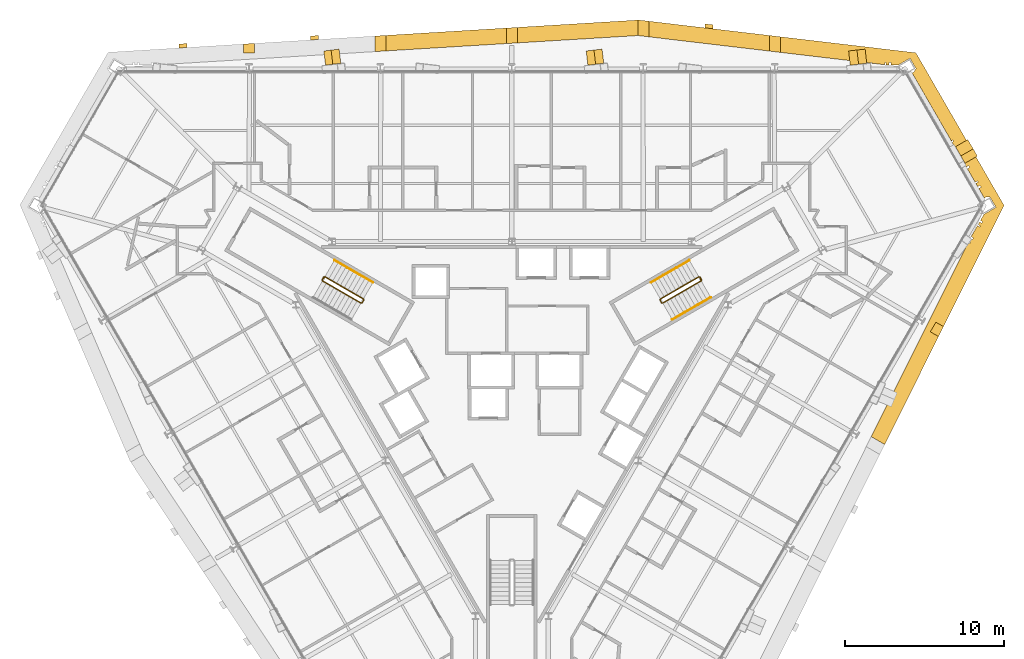
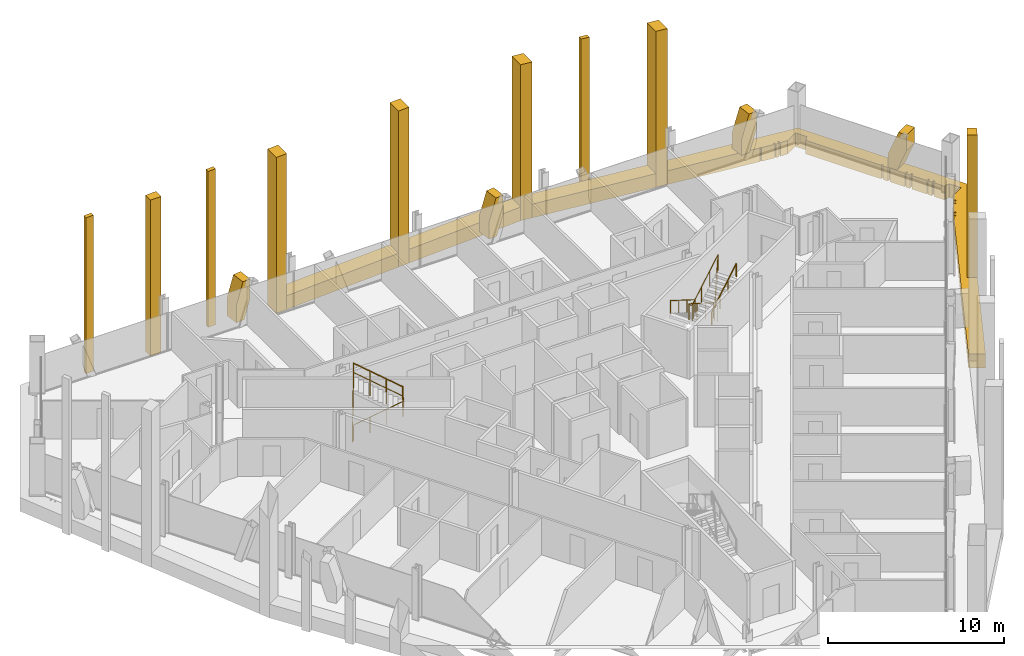
# One storey, part 17 of 17: 17 coverings, 5 railings.
"""IFC4 building model written with IfcOpenShell, lengths in metres."""

from ifc_helpers import new_model, si_unit, direction, frame, origin, origin_2d, place, context, subcontext, project, spatial, polyline, circle, outline, extrude, material, layer, layer_set, type_object, element, save


model = new_model("IFC4")

# Units and contexts
model_context = context("Model", 3, precision=1e-05, world=origin(), true_north=direction((0.0, 1.0)))
body_context = subcontext(model_context, "Body", "Model", "MODEL_VIEW")
ifc_project = project(units=[si_unit("LENGTHUNIT", "METRE"), si_unit("AREAUNIT", "SQUARE_METRE"), si_unit("VOLUMEUNIT", "CUBIC_METRE"), si_unit("PLANEANGLEUNIT", "RADIAN"), si_unit("MASSUNIT", "GRAM", prefix="KILO")], contexts=[model_context])

# Site, building, storey
site_placement = place(None, origin())
site = spatial("IfcSite", under=ifc_project, at=site_placement, CompositionType="ELEMENT")
building_placement = place(site_placement, origin())
building = spatial("IfcBuilding", under=site, at=building_placement, Name="Verrane Prism Tower", CompositionType="ELEMENT")
storey_placement = place(building_placement, frame((0.0, 0.0, 132.39990234375)))
storey = spatial("IfcBuildingStorey", under=building, at=storey_placement, Name="L32", CompositionType="ELEMENT", Elevation=132.39990234375)

# Railings
ifc_material_1 = material(Name="Steel A36 rail and posts, no infill", Category="steel")
railing_type_1 = type_object("IfcRailingType", Name="Stair guard 1100 steel rail and posts", PredefinedType="GUARDRAIL", material=ifc_material_1)
railing_1_placement = place(storey_placement, frame((11.78955078125, 6.97998046875, 0.163818359375)))
element("IfcRailing", 1, at=railing_1_placement, inside=storey, type_object=railing_type_1, Name="Stair 1 guard", PredefinedType="GUARDRAIL", context=body_context, shape_type="SweptSolid", body=[
    extrude(circle(Radius=0.02392578125, at=origin_2d()), frame((0.0, 0.0, 1.076171875), z_axis=(-0.747693913401, -0.431738279637, 0.504535300807), x_axis=(0.500049511043, -0.865996816683, 0.0)), (0.0, 0.0, 1.0), 3.2431640625),
    extrude(circle(Radius=0.02392578125, at=origin_2d()), frame((-2.4248046875, -1.400146484375, 2.71240234375), z_axis=(-0.259601060869, -0.965715946433, 0.0), x_axis=(0.965715946433, -0.259601060869, 0.0)), (0.0, 0.0, 1.0), 0.070556640625),
    extrude(circle(Radius=0.02392578125, at=origin_2d()), frame((-2.443115234375, -1.46826171875, 2.71240234375), z_axis=(0.499158860599, -0.866510491504, 0.0), x_axis=(0.866510491504, 0.499158860599, 0.0)), (0.0, 0.0, 1.0), 0.199951171875),
    extrude(circle(Radius=0.02392578125, at=origin_2d()), frame((-2.34326171875, -1.6416015625, 2.71240234375), z_axis=(0.383552647116, -0.102737316192, 0.917786691313), x_axis=(0.258736085224, 0.965948051503, 0.0)), (0.0, 0.0, 1.0), 0.17822265625),
    extrude(circle(Radius=0.02392578125, at=origin_2d()), frame((-2.27490234375, -1.659912109375, 2.8759765625), z_axis=(0.747665513933, 0.431721881032, 0.504591415616), x_axis=(-0.500049511043, 0.865996816683, 0.0)), (0.0, 0.0, 1.0), 3.2431640625),
    extrude(circle(Radius=0.02392578125, at=origin_2d()), frame((0.14990234375, -0.259765625, 4.51220703125), z_axis=(-0.022593669287, 0.066901613547, -0.997503734436), x_axis=(-0.947430582667, -0.3199613899, 0.0)), (0.0, 0.0, 1.0), 3.609130859375),
    extrude(circle(Radius=0.02392578125, at=origin_2d()), frame((0.068359375, -0.018310546875, 0.912109375), z_axis=(0.499158860599, -0.866510491504, 0.0), x_axis=(0.866510491504, 0.499158860599, 0.0)), (0.0, 0.0, 1.0), 0.199951171875),
    extrude(circle(Radius=0.02099609375, at=origin_2d()), origin(), (0.0, 0.0, 1.0), 1.052001953125),
    extrude(circle(Radius=0.02099609375, at=origin_2d()), frame((-0.808349609375, -0.466796875, 0.54541015625)), (0.0, 0.0, 1.0), 1.052001953125),
    extrude(circle(Radius=0.02099609375, at=origin_2d()), frame((-1.616455078125, -0.933349609375, 1.0908203125)), (0.0, 0.0, 1.0), 1.052001953125),
    extrude(circle(Radius=0.02099609375, at=origin_2d()), frame((-2.4248046875, -1.400146484375, 1.63623046875)), (0.0, 0.0, 1.0), 1.052001953125),
    extrude(circle(Radius=0.02099609375, at=origin_2d()), frame((-2.443115234375, -1.46826171875, 1.63623046875)), (0.0, 0.0, 1.0), 1.052001953125),
    extrude(circle(Radius=0.02099609375, at=origin_2d()), frame((-2.34326171875, -1.6416015625, 1.63623046875)), (0.0, 0.0, 1.0), 1.052001953125),
    extrude(circle(Radius=0.02099609375, at=origin_2d()), frame((-2.27490234375, -1.659912109375, 1.7998046875)), (0.0, 0.0, 1.0), 1.052001953125),
    extrude(circle(Radius=0.02099609375, at=origin_2d()), frame((-1.466552734375, -1.193115234375, 2.34521484375)), (0.0, 0.0, 1.0), 1.052001953125),
    extrude(circle(Radius=0.02099609375, at=origin_2d()), frame((-0.658447265625, -0.7265625, 2.890869140625)), (0.0, 0.0, 1.0), 1.052001953125),
    extrude(circle(Radius=0.02099609375, at=origin_2d()), frame((0.14990234375, -0.259765625, 3.436279296875)), (0.0, 0.0, 1.0), 1.052001953125),
    extrude(circle(Radius=0.02099609375, at=origin_2d()), frame((0.12939453125, -0.199462890625, 2.5361328125)), (0.0, 0.0, 1.0), 1.052001953125),
    extrude(circle(Radius=0.02099609375, at=origin_2d()), frame((0.109130859375, -0.13916015625, 1.63623046875)), (0.0, 0.0, 1.0), 1.052001953125),
    extrude(circle(Radius=0.02099609375, at=origin_2d()), frame((0.0888671875, -0.07861328125, 0.736328125)), (0.0, 0.0, 1.0), 1.052001953125),
    extrude(circle(Radius=0.02099609375, at=origin_2d()), frame((0.068359375, -0.018310546875, -0.163818359375)), (0.0, 0.0, 1.0), 1.052001953125),
    extrude(circle(Radius=0.02099609375, at=origin_2d()), frame((0.168212890625, -0.191650390625, -0.163818359375)), (0.0, 0.0, 1.0), 1.052001953125),
])
railing_2_placement = place(storey_placement, frame((-11.939453125, 6.72021484375, 0.163818359375)))
element("IfcRailing", 2, at=railing_2_placement, inside=storey, type_object=railing_type_1, Name="Stair 2 guard", PredefinedType="GUARDRAIL", context=body_context, shape_type="SweptSolid", body=[
    extrude(circle(Radius=0.02392578125, at=origin_2d()), frame((0.0, 0.0, 1.076171875), z_axis=(0.747693913401, -0.431738279637, 0.504535300807), x_axis=(0.500049511043, 0.865996816683, 0.0)), (0.0, 0.0, 1.0), 3.2431640625),
    extrude(circle(Radius=0.02392578125, at=origin_2d()), frame((2.4248046875, -1.400146484375, 2.71240234375), z_axis=(0.965948051503, 0.258736085224, 0.0), x_axis=(-0.258736085224, 0.965948051503, 0.0)), (0.0, 0.0, 1.0), 0.07080078125),
    extrude(circle(Radius=0.02392578125, at=origin_2d()), frame((2.4931640625, -1.3818359375, 2.71240234375), z_axis=(0.499158860599, 0.866510491504, 0.0), x_axis=(-0.866510491504, 0.499158860599, 0.0)), (0.0, 0.0, 1.0), 0.199951171875),
    extrude(circle(Radius=0.02392578125, at=origin_2d()), frame((2.593017578125, -1.20849609375, 2.71240234375), z_axis=(-0.102791240646, 0.382383415203, 0.918268416436), x_axis=(-0.965715946433, -0.259601060869, 0.0)), (0.0, 0.0, 1.0), 0.17822265625),
    extrude(circle(Radius=0.02392578125, at=origin_2d()), frame((2.57470703125, -1.140380859375, 2.8759765625), z_axis=(-0.747665513933, 0.431721881032, 0.504591415616), x_axis=(-0.500049511043, -0.865996816683, 0.0)), (0.0, 0.0, 1.0), 3.2431640625),
    extrude(circle(Radius=0.02392578125, at=origin_2d()), frame((0.14990234375, 0.259765625, 4.51220703125), z_axis=(-0.046607763296, -0.053101733218, -0.99750083826), x_axis=(0.751567565678, -0.659656118156, 0.0)), (0.0, 0.0, 1.0), 3.609130859375),
    extrude(circle(Radius=0.02392578125, at=origin_2d()), frame((-0.018310546875, 0.068115234375, 0.912109375), z_axis=(0.499158860599, 0.866510491504, 0.0), x_axis=(-0.866510491504, 0.499158860599, 0.0)), (0.0, 0.0, 1.0), 0.199951171875),
    extrude(circle(Radius=0.02099609375, at=origin_2d()), origin(), (0.0, 0.0, 1.0), 1.052001953125),
    extrude(circle(Radius=0.02099609375, at=origin_2d()), frame((0.808349609375, -0.466796875, 0.54541015625)), (0.0, 0.0, 1.0), 1.052001953125),
    extrude(circle(Radius=0.02099609375, at=origin_2d()), frame((1.616455078125, -0.933349609375, 1.0908203125)), (0.0, 0.0, 1.0), 1.052001953125),
    extrude(circle(Radius=0.02099609375, at=origin_2d()), frame((2.4248046875, -1.400146484375, 1.63623046875)), (0.0, 0.0, 1.0), 1.052001953125),
    extrude(circle(Radius=0.02099609375, at=origin_2d()), frame((2.4931640625, -1.3818359375, 1.63623046875)), (0.0, 0.0, 1.0), 1.052001953125),
    extrude(circle(Radius=0.02099609375, at=origin_2d()), frame((2.593017578125, -1.20849609375, 1.63623046875)), (0.0, 0.0, 1.0), 1.052001953125),
    extrude(circle(Radius=0.02099609375, at=origin_2d()), frame((2.57470703125, -1.140380859375, 1.7998046875)), (0.0, 0.0, 1.0), 1.052001953125),
    extrude(circle(Radius=0.02099609375, at=origin_2d()), frame((1.766357421875, -0.673583984375, 2.34521484375)), (0.0, 0.0, 1.0), 1.052001953125),
    extrude(circle(Radius=0.02099609375, at=origin_2d()), frame((0.958251953125, -0.20703125, 2.890869140625)), (0.0, 0.0, 1.0), 1.052001953125),
    extrude(circle(Radius=0.02099609375, at=origin_2d()), frame((0.14990234375, 0.259765625, 3.436279296875)), (0.0, 0.0, 1.0), 1.052001953125),
    extrude(circle(Radius=0.02099609375, at=origin_2d()), frame((0.10791015625, 0.2119140625, 2.5361328125)), (0.0, 0.0, 1.0), 1.052001953125),
    extrude(circle(Radius=0.02099609375, at=origin_2d()), frame((0.06591796875, 0.1640625, 1.63623046875)), (0.0, 0.0, 1.0), 1.052001953125),
    extrude(circle(Radius=0.02099609375, at=origin_2d()), frame((0.023681640625, 0.115966796875, 0.736328125)), (0.0, 0.0, 1.0), 1.052001953125),
    extrude(circle(Radius=0.02099609375, at=origin_2d()), frame((-0.018310546875, 0.068115234375, -0.163818359375)), (0.0, 0.0, 1.0), 1.052001953125),
    extrude(circle(Radius=0.02099609375, at=origin_2d()), frame((0.08154296875, 0.241455078125, -0.163818359375)), (0.0, 0.0, 1.0), 1.052001953125),
])
ifc_material_2 = material(Name="Steel A36 tube", Category="steel")
railing_type_2 = type_object("IfcRailingType", Name="Stair handrail 900 steel tube", PredefinedType="HANDRAIL", material=ifc_material_2)
railing_3_placement = place(storey_placement, frame((11.189453125, 8.01904296875, 0.163818359375)))
element("IfcRailing", 3, at=railing_3_placement, inside=storey, type_object=railing_type_2, Name="Stair 1 handrail", PredefinedType="HANDRAIL", context=body_context, shape_type="SweptSolid", body=[
    extrude(circle(Radius=0.02392578125, at=origin_2d()), frame((0.0, 0.0, 0.8759765625), z_axis=(-0.74771821388, -0.431677027627, 0.504551698492), x_axis=(0.49998411664, -0.866034573852, 0.0)), (0.0, 0.0, 1.0), 3.242919921875),
    extrude(circle(Radius=0.02099609375, at=origin_2d()), origin(), (0.0, 0.0, 1.0), 0.851806640625),
    extrude(circle(Radius=0.02099609375, at=origin_2d()), frame((-0.808349609375, -0.466552734375, 0.54541015625)), (0.0, 0.0, 1.0), 0.851806640625),
    extrude(circle(Radius=0.02099609375, at=origin_2d()), frame((-1.616455078125, -0.933349609375, 1.0908203125)), (0.0, 0.0, 1.0), 0.851806640625),
    extrude(circle(Radius=0.02099609375, at=origin_2d()), frame((-2.4248046875, -1.39990234375, 1.63623046875)), (0.0, 0.0, 1.0), 0.851806640625),
])
railing_4_placement = place(storey_placement, frame((10.11474609375, 4.28076171875, 1.963623046875)))
element("IfcRailing", 4, at=railing_4_placement, inside=storey, type_object=railing_type_2, Name="Stair 1 handrail", PredefinedType="HANDRAIL", context=body_context, shape_type="SweptSolid", body=[
    extrude(circle(Radius=0.02392578125, at=origin_2d()), frame((0.0, 0.0, 0.8759765625), z_axis=(0.747665513933, 0.431721881032, 0.504591415616), x_axis=(-0.500049511043, 0.865996816683, 0.0)), (0.0, 0.0, 1.0), 3.2431640625),
    extrude(circle(Radius=0.02099609375, at=origin_2d()), origin(), (0.0, 0.0, 1.0), 0.851806640625),
    extrude(circle(Radius=0.02099609375, at=origin_2d()), frame((0.808349609375, 0.466796875, 0.54541015625)), (0.0, 0.0, 1.0), 0.851806640625),
    extrude(circle(Radius=0.02099609375, at=origin_2d()), frame((1.616455078125, 0.933349609375, 1.091064453125)), (0.0, 0.0, 1.0), 0.851806640625),
    extrude(circle(Radius=0.02099609375, at=origin_2d()), frame((2.4248046875, 1.400146484375, 1.636474609375)), (0.0, 0.0, 1.0), 0.851806640625),
])
railing_5_placement = place(storey_placement, frame((-8.7646484375, 6.619140625, 1.963623046875)))
element("IfcRailing", 5, at=railing_5_placement, inside=storey, type_object=railing_type_2, Name="Stair 2 handrail", PredefinedType="HANDRAIL", context=body_context, shape_type="SweptSolid", body=[
    extrude(circle(Radius=0.02392578125, at=origin_2d()), frame((0.0, 0.0, 0.8759765625), z_axis=(-0.747689811644, 0.431660630283, 0.504607813879), x_axis=(-0.49998411664, -0.866034573852, 0.0)), (0.0, 0.0, 1.0), 3.2431640625),
    extrude(circle(Radius=0.02099609375, at=origin_2d()), origin(), (0.0, 0.0, 1.0), 0.851806640625),
    extrude(circle(Radius=0.02099609375, at=origin_2d()), frame((-0.808349609375, 0.466552734375, 0.54541015625)), (0.0, 0.0, 1.0), 0.851806640625),
    extrude(circle(Radius=0.02099609375, at=origin_2d()), frame((-1.616455078125, 0.933349609375, 1.091064453125)), (0.0, 0.0, 1.0), 0.851806640625),
    extrude(circle(Radius=0.02099609375, at=origin_2d()), frame((-2.4248046875, 1.39990234375, 1.636474609375)), (0.0, 0.0, 1.0), 0.851806640625),
])

# Coverings
ifc_material_3 = material(Name="Warm limestone cladding", Category="masonry")
ifc_layer_1 = layer(ifc_material_3, 0.89990234375)
ifc_layer_set_1 = layer_set([ifc_layer_1], Name="Stone brace fin 900")
covering_type_1 = type_object("IfcCoveringType", Name="Stone brace fin 900", PredefinedType="CLADDING", material=ifc_layer_set_1)
covering_1_placement = place(storey_placement, frame((21.2861328125, 20.77099609375, 0.0), z_axis=(0.0, 0.0, 1.0), x_axis=(0.993584428796, 0.113092806376, 0.0)))
element("IfcCovering", 6, at=covering_1_placement, inside=storey, type_object=covering_type_1, Name="Stone brace fin N1 L32", PredefinedType="CLADDING", context=body_context, shape_type="SweptSolid", body=[
    extrude(outline(polyline([(1.047119140625, 2.650146484375), (0.5302734375, 2.650146484375), (0.0, 1.12646484375), (0.0, 0.0), (0.560791015625, 0.0), (1.047119140625, 1.396728515625), (1.047119140625, 2.650146484375)])), frame((0.0, 0.449951171875, 0.0), z_axis=(0.0, -1.0, 0.0), x_axis=(1.0, 0.0, 0.0)), (0.0, 0.0, 1.0), 0.89990234375),
])
covering_2_placement = place(storey_placement, frame((4.739990234375, 20.7705078125, 0.0), z_axis=(0.0, 0.0, 1.0), x_axis=(0.993037639128, 0.117797484163, 0.0)))
element("IfcCovering", 7, at=covering_2_placement, inside=storey, type_object=covering_type_1, Name="Stone brace fin N3 L32", PredefinedType="CLADDING", context=body_context, shape_type="SweptSolid", body=[
    extrude(outline(polyline([(1.007080078125, 2.650146484375), (0.493896484375, 2.650146484375), (0.0, 1.1748046875), (0.0, 0.0), (0.555908203125, 0.0), (1.007080078125, 1.348388671875), (1.007080078125, 2.650146484375)])), frame((0.0, 0.449951171875, 0.0), z_axis=(0.0, -1.0, 0.0), x_axis=(1.0, 0.0, 0.0)), (0.0, 0.0, 1.0), 0.89990234375),
])
covering_3_placement = place(storey_placement, frame((-11.802001953125, 20.77001953125, 0.0), z_axis=(0.0, 0.0, 1.0), x_axis=(0.992489398529, 0.122330674026, 0.0)))
element("IfcCovering", 8, at=covering_3_placement, inside=storey, type_object=covering_type_1, Name="Stone brace fin N5 L32", PredefinedType="CLADDING", context=body_context, shape_type="SweptSolid", body=[
    extrude(outline(polyline([(0.969970703125, 2.650146484375), (0.4599609375, 2.650146484375), (0.0, 1.223876953125), (0.0, 0.0), (0.551025390625, 0.0), (0.969970703125, 1.29931640625), (0.969970703125, 2.650146484375)])), frame((0.0, 0.449951171875, 0.0), z_axis=(0.0, -1.0, 0.0), x_axis=(1.0, 0.0, 0.0)), (0.0, 0.0, 1.0), 0.89990234375),
])
covering_4_placement = place(storey_placement, frame((28.363525390625, 15.40576171875, 0.0), z_axis=(0.0, 0.0, 1.0), x_axis=(0.499546646484, -0.86628698939, 0.0)))
element("IfcCovering", 9, at=covering_4_placement, inside=storey, type_object=covering_type_1, Name="Stone brace fin NE1 L32", PredefinedType="CLADDING", context=body_context, shape_type="SweptSolid", body=[
    extrude(outline(polyline([(1.202392578125, 2.650146484375), (0.67431640625, 2.650146484375), (0.0, 0.9658203125), (0.0, 0.0), (0.582763671875, 0.0), (1.202392578125, 1.54736328125), (1.202392578125, 2.650146484375)])), frame((0.0, 0.449951171875, 0.0), z_axis=(0.0, -1.0, 0.0), x_axis=(1.0, 0.0, 0.0)), (0.0, 0.0, 1.0), 0.89990234375),
])
ifc_material_4 = material(Name="Warm limestone cladding", Category="masonry")
covering_type_2 = type_object("IfcCoveringType", Name="Stone mullion pier 500", PredefinedType="CLADDING", material=ifc_material_4)
covering_5_placement = place(storey_placement, frame((0.0, 0.0, -0.949951171875)))
element("IfcCovering", 10, at=covering_5_placement, inside=storey, type_object=covering_type_2, Name="Stone pier SM-N1.1 L32-L34", PredefinedType="CLADDING", context=body_context, shape_type="SweptSolid", body=[
    extrude(outline(polyline([(12.18798828125, 22.675048828125), (12.68798828125, 22.615966796875), (12.68798828125, 22.86767578125), (12.18798828125, 22.9267578125), (12.18798828125, 22.675048828125)])), origin(), (0.0, 0.0, 1.0), 10.800048828125),
])
covering_6_placement = place(storey_placement, frame((0.0, 0.0, -0.949951171875)))
element("IfcCovering", 11, at=covering_6_placement, inside=storey, type_object=covering_type_2, Name="Stone pier SM-N4.1 L32-L34", PredefinedType="CLADDING", context=body_context, shape_type="SweptSolid", body=[
    extrude(outline(polyline([(-12.68798828125, 21.912353515625), (-12.18798828125, 21.942626953125), (-12.18798828125, 22.193115234375), (-12.68798828125, 22.16259765625), (-12.68798828125, 21.912353515625)])), origin(), (0.0, 0.0, 1.0), 10.800048828125),
])
covering_7_placement = place(storey_placement, frame((0.0, 0.0, -0.949951171875)))
element("IfcCovering", 12, at=covering_7_placement, inside=storey, type_object=covering_type_2, Name="Stone pier SM-N5.1 L32-L34", PredefinedType="CLADDING", context=body_context, shape_type="SweptSolid", body=[
    extrude(outline(polyline([(-20.97998046875, 21.4072265625), (-20.47998046875, 21.437744140625), (-20.47998046875, 21.68798828125), (-20.97998046875, 21.65771484375), (-20.97998046875, 21.4072265625)])), origin(), (0.0, 0.0, 1.0), 10.800048828125),
])
ifc_material_5 = material(Name="Warm limestone cladding", Category="masonry")
covering_type_3 = type_object("IfcCoveringType", Name="Stone pier 700", PredefinedType="CLADDING", material=ifc_material_5)
covering_8_placement = place(storey_placement, frame((0.0, 0.0, -0.949951171875)))
element("IfcCovering", 13, at=covering_8_placement, inside=storey, type_object=covering_type_3, Name="Stone pier PC-N1 L32-L34", PredefinedType="CLADDING", context=body_context, shape_type="SweptSolid", body=[
    extrude(outline(polyline([(16.234130859375, 22.19677734375), (16.234130859375, 21.2119140625), (16.93408203125, 21.12890625), (16.93408203125, 22.114013671875), (16.234130859375, 22.19677734375)])), origin(), (0.0, 0.0, 1.0), 10.800048828125),
])
covering_9_placement = place(storey_placement, frame((0.0, 0.0, -0.949951171875)))
element("IfcCovering", 14, at=covering_9_placement, inside=storey, type_object=covering_type_3, Name="Stone pier PC-N2 L32-L34", PredefinedType="CLADDING", context=body_context, shape_type="SweptSolid", body=[
    extrude(outline(polyline([(7.94189453125, 23.168701171875), (7.94189453125, 22.18896484375), (7.96044921875, 22.18994140625), (8.64208984375, 22.109375), (8.64208984375, 23.09423828125), (7.98828125, 23.171630859375), (7.94189453125, 23.168701171875)])), origin(), (0.0, 0.0, 1.0), 10.800048828125),
])
covering_10_placement = place(storey_placement, frame((0.0, 0.0, -0.949951171875)))
element("IfcCovering", 15, at=covering_10_placement, inside=storey, type_object=covering_type_3, Name="Stone pier PC-N3 L32-L34", PredefinedType="CLADDING", context=body_context, shape_type="SweptSolid", body=[
    extrude(outline(polyline([(-0.35009765625, 22.663818359375), (-0.35009765625, 21.683837890625), (0.35009765625, 21.7265625), (0.35009765625, 22.706298828125), (-0.35009765625, 22.663818359375)])), origin(), (0.0, 0.0, 1.0), 10.800048828125),
])
covering_11_placement = place(storey_placement, frame((0.0, 0.0, -0.949951171875)))
element("IfcCovering", 16, at=covering_11_placement, inside=storey, type_object=covering_type_3, Name="Stone pier PC-N4 L32-L34", PredefinedType="CLADDING", context=body_context, shape_type="SweptSolid", body=[
    extrude(outline(polyline([(-8.64208984375, 22.15869140625), (-8.64208984375, 21.1787109375), (-7.94189453125, 21.221435546875), (-7.94189453125, 22.201416015625), (-8.64208984375, 22.15869140625)])), origin(), (0.0, 0.0, 1.0), 10.800048828125),
])
covering_12_placement = place(storey_placement, frame((0.0, 0.0, -0.949951171875)))
element("IfcCovering", 17, at=covering_12_placement, inside=storey, type_object=covering_type_3, Name="Stone pier PC-N5 L32-L34", PredefinedType="CLADDING", context=body_context, shape_type="SweptSolid", body=[
    extrude(outline(polyline([(-16.93408203125, 21.101806640625), (-16.234130859375, 21.101806640625), (-16.234130859375, 21.6962890625), (-16.93408203125, 21.653564453125), (-16.93408203125, 21.101806640625)])), origin(), (0.0, 0.0, 1.0), 10.800048828125),
])
covering_13_placement = place(storey_placement, frame((0.0, 0.0, -0.949951171875)))
element("IfcCovering", 18, at=covering_13_placement, inside=storey, type_object=covering_type_3, Name="Stone pier PC-SE5 L32-L34", PredefinedType="CLADDING", context=body_context, shape_type="SweptSolid", body=[
    extrude(outline(polyline([(26.73828125, 4.116455078125), (26.38818359375, 3.51025390625), (26.906494140625, 3.2109375), (27.219482421875, 3.83837890625), (26.73828125, 4.116455078125)])), origin(), (0.0, 0.0, 1.0), 10.800048828125),
])
ifc_material_6 = material(Name="Warm limestone cladding", Category="masonry")
ifc_layer_2 = layer(ifc_material_6, 0.449951171875)
ifc_layer_set_2 = layer_set([ifc_layer_2], Name="Stone spandrel band 450")
covering_type_4 = type_object("IfcCoveringType", Name="Stone spandrel band 450", PredefinedType="CLADDING", material=ifc_layer_set_2)
covering_14_placement = place(storey_placement, frame((0.0, 0.0, -0.949951171875)))
element("IfcCovering", 19, at=covering_14_placement, inside=storey, type_object=covering_type_4, Name="Stone spandrel band L32 part 1", PredefinedType="CLADDING", context=body_context, shape_type="SweptSolid", body=[
    extrude(outline(polyline([(22.37255859375, 20.486083984375), (22.60595703125, 20.45849609375), (22.60595703125, 20.489990234375), (22.71875, 20.489990234375), (22.71875, 20.445068359375), (23.52587890625, 20.349609375), (23.52587890625, 20.489990234375), (23.5966796875, 20.489990234375), (23.5966796875, 20.34130859375), (23.748291015625, 20.323486328125), (23.7890625, 20.323486328125), (23.7890625, 20.489990234375), (23.898681640625, 20.489990234375), (23.898681640625, 20.323486328125), (24.35107421875, 20.323486328125), (25.105712890625, 20.759033203125), (25.485595703125, 20.100830078125), (25.466796875, 20.08984375), (25.352783203125, 19.8955078125), (25.23828125, 19.829345703125), (27.722412109375, 15.526611328125), (27.764404296875, 15.603271484375), (27.8466796875, 15.558349609375), (27.77734375, 15.431640625), (27.934814453125, 15.15869140625), (28.07958984375, 15.2421875), (28.148681640625, 15.122314453125), (28.00390625, 15.0390625), (28.494384765625, 14.189697265625), (28.638671875, 14.272705078125), (28.68017578125, 14.20068359375), (28.5361328125, 14.117431640625), (28.655517578125, 13.910400390625), (28.799560546875, 13.993408203125), (28.86865234375, 13.873779296875), (28.724609375, 13.790771484375), (29.215087890625, 12.94140625), (29.358642578125, 13.024169921875), (29.400146484375, 12.951904296875), (29.256591796875, 12.869140625), (29.37451171875, 12.6650390625), (29.51806640625, 12.747802734375), (29.585205078125, 12.631103515625), (29.44189453125, 12.548583984375), (29.790771484375, 11.944091796875), (29.901611328125, 12.008056640625), (30.126708984375, 12.008056640625), (30.145751953125, 12.01904296875), (30.525634765625, 11.36083984375), (29.777099609375, 10.9287109375), (29.548583984375, 10.533203125), (29.690673828125, 10.45068359375), (29.635498046875, 10.355712890625), (29.493896484375, 10.43798828125), (29.39794921875, 10.27197265625), (29.539794921875, 10.190185546875), (29.50439453125, 10.128662109375), (29.362548828125, 10.210693359375), (28.959716796875, 9.5126953125), (29.10205078125, 9.4306640625), (29.045654296875, 9.3330078125), (28.907470703125, 9.41259765625), (28.810546875, 9.21826171875), (28.92724609375, 9.1318359375), (28.8828125, 9.071533203125), (28.776611328125, 9.150146484375), (22.662353515625, -3.105224609375), (23.510986328125, -3.59521484375), (26.906494140625, 3.2109375), (26.38818359375, 3.51025390625), (26.73828125, 4.116455078125), (27.219482421875, 3.83837890625), (31.032958984375, 11.482177734375), (25.47802734375, 21.103759765625), (16.93408203125, 22.114013671875), (16.93408203125, 21.12890625), (22.363525390625, 20.487060546875), (22.372314453125, 20.488037109375), (22.37255859375, 20.486083984375)])), origin(), (0.0, 0.0, 1.0), 0.949951171875),
])
covering_15_placement = place(storey_placement, frame((0.0, 0.0, -0.949951171875)))
element("IfcCovering", 20, at=covering_15_placement, inside=storey, type_object=covering_type_4, Name="Stone spandrel band L32 part 6", PredefinedType="CLADDING", context=body_context, shape_type="SweptSolid", body=[
    extrude(outline(polyline([(8.64208984375, 22.109375), (16.234130859375, 21.2119140625), (16.234130859375, 22.19677734375), (8.64208984375, 23.09423828125), (8.64208984375, 22.109375)])), origin(), (0.0, 0.0, 1.0), 0.949951171875),
])
covering_16_placement = place(storey_placement, frame((0.0, 0.0, -0.949951171875)))
element("IfcCovering", 21, at=covering_16_placement, inside=storey, type_object=covering_type_4, Name="Stone spandrel band L32 part 11", PredefinedType="CLADDING", context=body_context, shape_type="SweptSolid", body=[
    extrude(outline(polyline([(0.35009765625, 22.706298828125), (0.35009765625, 21.7265625), (7.94189453125, 22.18896484375), (7.94189453125, 23.168701171875), (0.35009765625, 22.706298828125)])), origin(), (0.0, 0.0, 1.0), 0.949951171875),
])
covering_17_placement = place(storey_placement, frame((0.0, 0.0, -0.949951171875)))
element("IfcCovering", 22, at=covering_17_placement, inside=storey, type_object=covering_type_4, Name="Stone spandrel band L32 part 12", PredefinedType="CLADDING", context=body_context, shape_type="SweptSolid", body=[
    extrude(outline(polyline([(-7.94189453125, 22.201416015625), (-7.94189453125, 21.221435546875), (-0.35009765625, 21.683837890625), (-0.35009765625, 22.663818359375), (-7.94189453125, 22.201416015625)])), origin(), (0.0, 0.0, 1.0), 0.949951171875),
])

save(model, "model.ifc")
